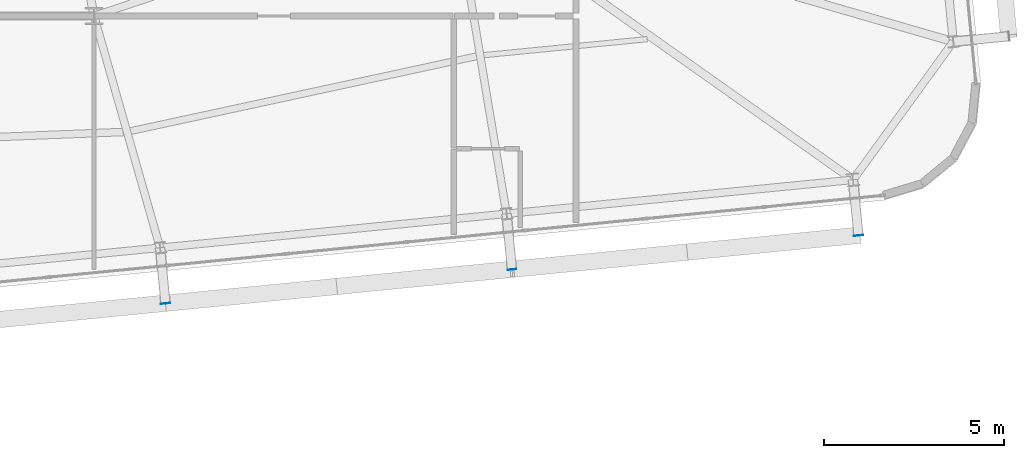
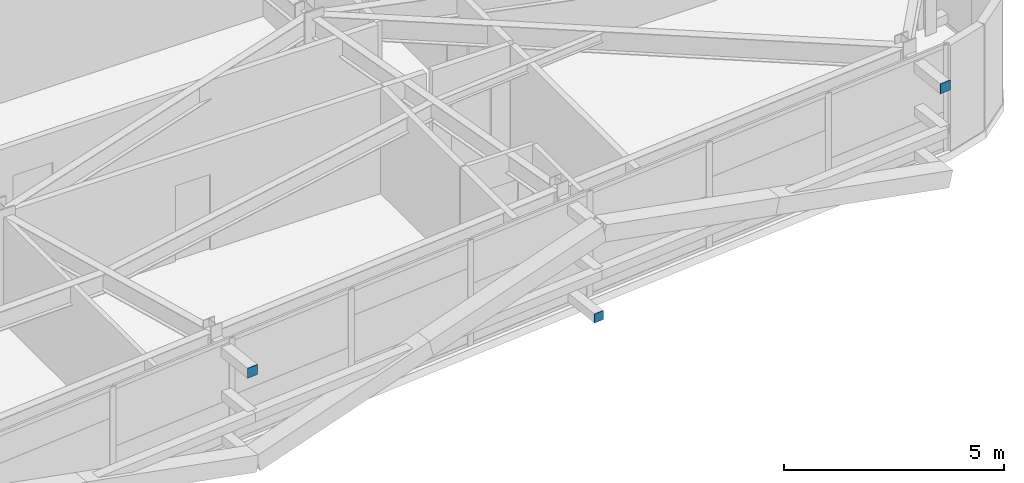
# One storey, part 41 of 52: 3 plates.
"""IFC4 building model written with IfcOpenShell, lengths in metres."""

from ifc_helpers import new_model, si_unit, direction, frame, origin, origin_2d, place, context, subcontext, project, spatial, rectangle, extrude, source, transform, mapped, material, layer, layer_set, type_object, element, save


model = new_model("IFC4")

# Units and contexts
model_context = context("Model", 3, precision=1e-05, world=origin(), true_north=direction((0.0, 1.0)))
body_context = subcontext(model_context, "Body", "Model", "MODEL_VIEW")
ifc_project = project(units=[si_unit("LENGTHUNIT", "METRE"), si_unit("AREAUNIT", "SQUARE_METRE"), si_unit("VOLUMEUNIT", "CUBIC_METRE"), si_unit("PLANEANGLEUNIT", "RADIAN"), si_unit("MASSUNIT", "GRAM", prefix="KILO")], contexts=[model_context])

# Site, building, storey
site_placement = place(None, origin())
site = spatial("IfcSite", under=ifc_project, at=site_placement, CompositionType="ELEMENT")
building_placement = place(site_placement, origin())
building = spatial("IfcBuilding", under=site, at=building_placement, Name="Taldren Reach Tower", CompositionType="ELEMENT")
storey_placement = place(building_placement, frame((0.0, 0.0, 77.699951171875)))
storey = spatial("IfcBuildingStorey", under=building, at=storey_placement, Name="L23", CompositionType="ELEMENT", Elevation=77.699951171875)

# Plates
ifc_material_1 = material(Name="Steel Gr 450 (C450L0)", Category="steel")
ifc_layer_1 = layer(ifc_material_1, 0.011962890625)
ifc_layer_set_1 = layer_set([ifc_layer_1], Name="Steel Gr 450 (C450L0)")
plate_type_1 = type_object("IfcPlateType", Name="PL-CAP-275", PredefinedType="SHEET", material=ifc_layer_set_1)
shared_shape_1 = source(origin(), body_context, "Body", "SweptSolid", [
    extrude(rectangle(XDim=0.27490234375, YDim=0.011962890625, at=origin_2d()), origin(), (0.0, 0.0, 1.0), 0.27490234375),
])
for number, where, z_axis, x_axis, name in (
    (1, (43.9873046875, 1.205322265625, 2.5126953125), (0.0, 0.0, 1.0), (0.995227399982, 0.097582899759, 0.0), "Tie strut end cap plate B2-S4 L23"),
    (2, (63.255126953125, 3.094482421875, 2.5126953125), (0.0, 0.0, 1.0), (0.995227399982, 0.097582899759, 0.0), "Tie strut end cap plate B2-S6 L23"),
):
    element("IfcPlate", number, at=place(storey_placement, frame(where, z_axis=z_axis, x_axis=x_axis)), inside=storey, type_object=plate_type_1, Name=name, PredefinedType="SHEET", context=body_context, shape_type="MappedRepresentation", body=[
        mapped(shared_shape_1, transform((0.0, 0.0, 0.0), scale=1.0)),
    ])
ifc_material_2 = material(Name="Steel Gr 350 (C350L0)", Category="steel")
ifc_layer_2 = layer(ifc_material_2, 0.011962890625)
ifc_layer_set_2 = layer_set([ifc_layer_2], Name="Steel Gr 350 (C350L0)")
plate_type_2 = type_object("IfcPlateType", Name="PL-CAP-250", PredefinedType="SHEET", material=ifc_layer_set_2)
shared_shape_2 = source(origin(), body_context, "Body", "SweptSolid", [
    extrude(rectangle(XDim=0.25, YDim=0.011962890625, at=origin_2d()), origin(), (0.0, 0.0, 1.0), 0.25),
])
plate_placement = place(storey_placement, frame((53.62109375, 2.14990234375, 0.094970703125), z_axis=(0.0, 0.0, 1.0), x_axis=(0.995227399982, 0.097582899759, 0.0)))
element("IfcPlate", 3, at=plate_placement, inside=storey, type_object=plate_type_2, Name="Tie strut end cap plate B2-S5 L23", PredefinedType="SHEET", context=body_context, shape_type="MappedRepresentation", body=[
    mapped(shared_shape_2, transform((0.0, 0.0, 0.0), scale=1.0)),
])

save(model, "model.ifc")
